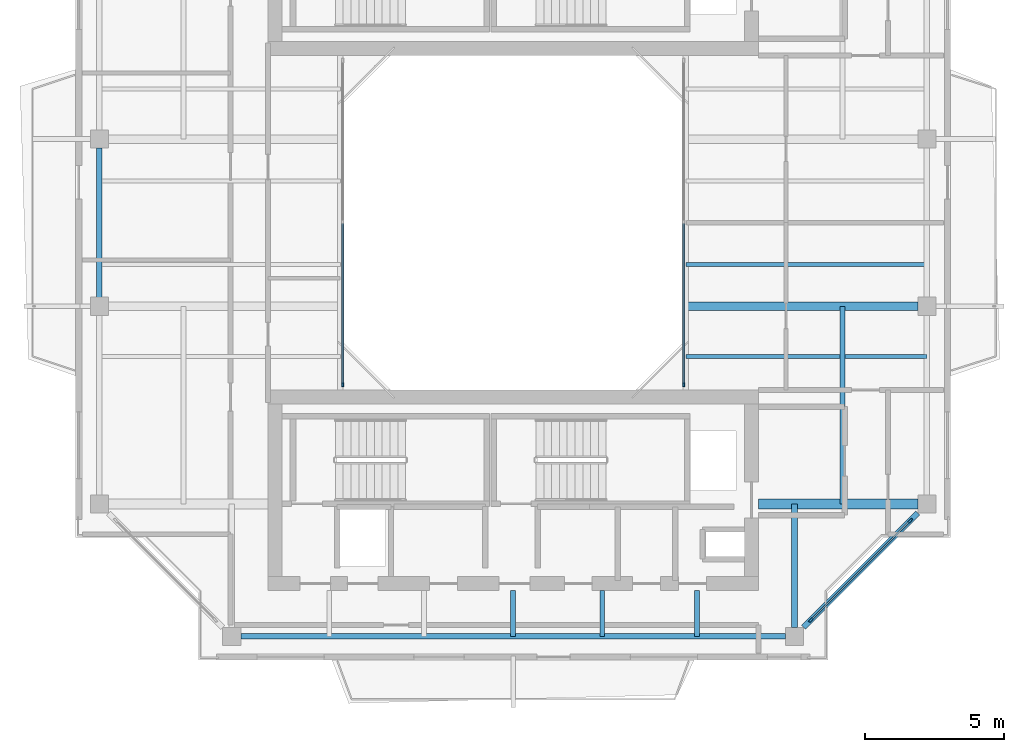
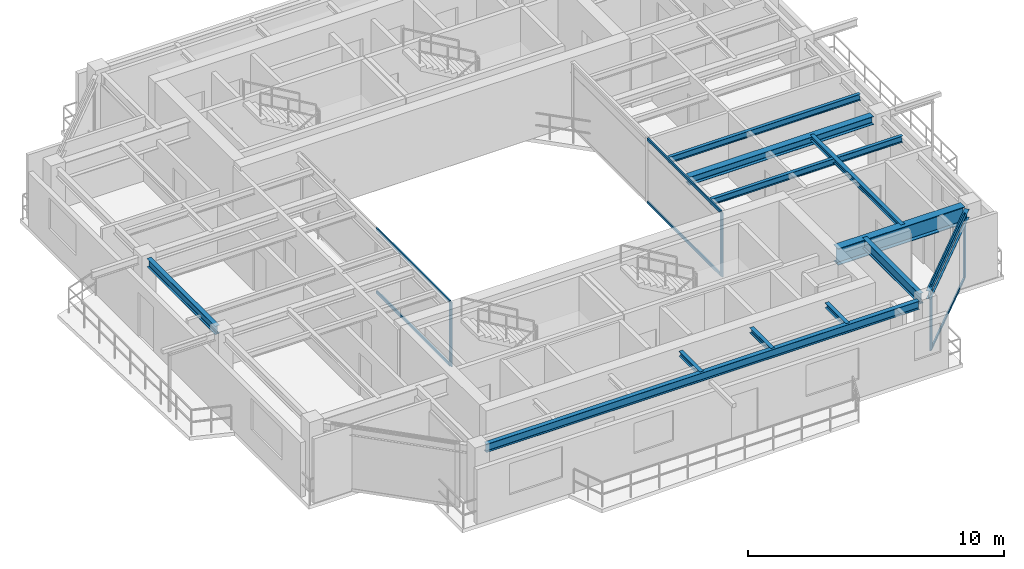
# One storey, part 4 of 14: 12 beams, 10 members, 3 elements without a shape of their own.
"""IFC4 building model written with IfcOpenShell, lengths in metres."""

from ifc_helpers import new_model, si_unit, direction, frame, origin, origin_2d, place, context, subcontext, project, spatial, rectangle, i_section, extrude, source, transform, mapped, material, layer, layer_set, material_profile, profile_set, type_object, element, aggregate, save


model = new_model("IFC4")

# Units and contexts
model_context = context("Model", 3, precision=1e-05, world=origin(), true_north=direction((0.0, 1.0)))
body_context = subcontext(model_context, "Body", "Model", "MODEL_VIEW")
ifc_project = project(units=[si_unit("LENGTHUNIT", "METRE"), si_unit("AREAUNIT", "SQUARE_METRE"), si_unit("VOLUMEUNIT", "CUBIC_METRE"), si_unit("PLANEANGLEUNIT", "RADIAN"), si_unit("MASSUNIT", "GRAM", prefix="KILO"), si_unit("THERMODYNAMICTEMPERATUREUNIT", "KELVIN"), si_unit("POWERUNIT", "WATT")], contexts=[model_context])

# Site, building, storey
site_placement = place(None, origin())
site = spatial("IfcSite", under=ifc_project, at=site_placement, CompositionType="ELEMENT")
building_placement = place(site_placement, origin())
building = spatial("IfcBuilding", under=site, at=building_placement, Name="Qiaomeng Ring Towers", CompositionType="ELEMENT")
storey_placement = place(building_placement, frame((0.0, 0.0, 240.5)))
storey = spatial("IfcBuildingStorey", under=building, at=storey_placement, Name="L70", CompositionType="ELEMENT", Elevation=240.5)

# Beams
ifc_material_1 = material(Name="Steel Q355B", Category="steel")
ifc_material_profile_1 = material_profile(ifc_material_1, i_section(OverallWidth=0.198974609375, OverallDepth=0.39599609375, WebThickness=0.007080078125, FlangeThickness=0.010986328125, FilletRadius=0.01611328125, at=origin_2d()), Name="HN 396x199x7x11")
ifc_profile_set_1 = profile_set([ifc_material_profile_1], Name="Steel Q355B")
beam_type_1 = type_object("IfcBeamType", Name="STR-BM-HN396", PredefinedType="SPANDREL", material=ifc_profile_set_1)
shared_shape_1 = source(origin(), body_context, "Body", "SweptSolid", [
    extrude(i_section(OverallWidth=0.198974609375, OverallDepth=0.39599609375, WebThickness=0.007080078125, FlangeThickness=0.010986328125, FilletRadius=0.01611328125, at=origin_2d()), origin(), (0.0, 0.0, 1.0), 19.5517578125),
])
beam_1_placement = place(storey_placement, frame((9.22412109375, 8.14990234375, 2.8720703125), z_axis=(1.0, 0.0, 0.0), x_axis=(0.0, 1.0, 0.0)))
element("IfcBeam", 1, at=beam_1_placement, inside=storey, type_object=beam_type_1, Name="L70 beam STR-SP-L70-T1-S1-S2", PredefinedType="SPANDREL", context=body_context, shape_type="MappedRepresentation", body=[
    mapped(shared_shape_1, transform((0.0, 0.0, 0.0), x_axis=(1.0, 0.0, 0.0), y_axis=(0.0, 1.0, 0.0), z_axis=(0.0, 0.0, 1.0), scale=1.0)),
])
shared_shape_2 = source(origin(), body_context, "Body", "SweptSolid", [
    extrude(i_section(OverallWidth=0.198974609375, OverallDepth=0.39599609375, WebThickness=0.007080078125, FlangeThickness=0.010986328125, FilletRadius=0.01611328125, at=origin_2d()), origin(), (0.0, 0.0, 1.0), 5.800048828125),
])
beam_2_placement = place(storey_placement, frame((29.42431640625, 8.474365234375, 2.8720703125), z_axis=(0.707106781187, 0.707106781187, 0.0), x_axis=(-0.707106781187, 0.707106781187, 0.0)))
element("IfcBeam", 2, at=beam_2_placement, inside=storey, type_object=beam_type_1, Name="L70 beam STR-SP-L70-T1-S2-E1", PredefinedType="SPANDREL", context=body_context, shape_type="MappedRepresentation", body=[
    mapped(shared_shape_2, transform((0.0, 0.0, 0.0), x_axis=(1.0, 0.0, 0.0), y_axis=(0.0, 1.0, 0.0), z_axis=(0.0, 0.0, 1.0), scale=1.0)),
])
shared_shape_3 = source(origin(), body_context, "Body", "SweptSolid", [
    extrude(i_section(OverallWidth=0.198974609375, OverallDepth=0.39599609375, WebThickness=0.007080078125, FlangeThickness=0.010986328125, FilletRadius=0.01611328125, at=origin_2d()), origin(), (0.0, 0.0, 1.0), 5.35205078125),
])
beam_3_placement = place(storey_placement, frame((4.14990234375, 25.676025390625, 2.8720703125), z_axis=(0.0, -1.0, 0.0), x_axis=(1.0, 0.0, 0.0)))
element("IfcBeam", 3, at=beam_3_placement, inside=storey, type_object=beam_type_1, Name="L70 beam STR-SP-L70-T1-W3-W2", PredefinedType="SPANDREL", context=body_context, shape_type="MappedRepresentation", body=[
    mapped(shared_shape_3, transform((0.0, 0.0, 0.0), x_axis=(1.0, 0.0, 0.0), y_axis=(0.0, 1.0, 0.0), z_axis=(0.0, 0.0, 1.0), scale=1.0)),
])
ifc_material_2 = material(Name="Steel Q390GJC", Category="steel")
ifc_material_profile_2 = material_profile(ifc_material_2, i_section(OverallWidth=0.35009765625, OverallDepth=0.800048828125, WebThickness=0.01611328125, FlangeThickness=0.028076171875, at=origin_2d()), Name="WH 800x350x16x28")
ifc_profile_set_2 = profile_set([ifc_material_profile_2], Name="Steel Q390GJC")
beam_type_2 = type_object("IfcBeamType", Name="STR-BM-WH800", PredefinedType="BEAM", material=ifc_profile_set_2)
shared_shape_4 = source(origin(), body_context, "Body", "SweptSolid", [
    extrude(i_section(OverallWidth=0.35009765625, OverallDepth=0.800048828125, WebThickness=0.01611328125, FlangeThickness=0.028076171875, at=origin_2d()), origin(), (0.0, 0.0, 1.0), 5.725830078125),
])
beam_4_placement = place(storey_placement, frame((27.800048828125, 12.89990234375, 2.669921875), z_axis=(1.0, 0.0, 0.0), x_axis=(0.0, 1.0, 0.0)))
element("IfcBeam", 4, at=beam_4_placement, inside=storey, type_object=beam_type_2, Name="L70 beam STR-BM-L70-T1-RAD-E1", PredefinedType="BEAM", context=body_context, shape_type="MappedRepresentation", body=[
    mapped(shared_shape_4, transform((0.0, 0.0, 0.0), x_axis=(1.0, 0.0, 0.0), y_axis=(0.0, 1.0, 0.0), z_axis=(0.0, 0.0, 1.0), scale=1.0)),
])
ifc_material_profile_3 = material_profile(ifc_material_1, i_section(OverallWidth=0.198974609375, OverallDepth=0.49609375, WebThickness=0.009033203125, FlangeThickness=0.013916015625, FilletRadius=0.01806640625, at=origin_2d()), Name="HN 496x199x9x14")
ifc_profile_set_3 = profile_set([ifc_material_profile_3], Name="Steel Q355B")
beam_type_3 = type_object("IfcBeamType", Name="STR-BM-HN496", PredefinedType="BEAM", material=ifc_profile_set_3)
shared_shape_5 = source(origin(), body_context, "Body", "SweptSolid", [
    extrude(i_section(OverallWidth=0.198974609375, OverallDepth=0.49609375, WebThickness=0.009033203125, FlangeThickness=0.013916015625, FilletRadius=0.01806640625, at=origin_2d()), origin(), (0.0, 0.0, 1.0), 4.42578125),
])
beam_5_placement = place(storey_placement, frame((29.10009765625, 8.47412109375, 2.822021484375), z_axis=(0.0, 1.0, 0.0), x_axis=(-1.0, 0.0, 0.0)))
element("IfcBeam", 5, at=beam_5_placement, inside=storey, type_object=beam_type_3, Name="L70 beam STR-BM-L70-T1-RAD-S2", PredefinedType="BEAM", context=body_context, shape_type="MappedRepresentation", body=[
    mapped(shared_shape_5, transform((0.0, 0.0, 0.0), x_axis=(1.0, 0.0, 0.0), y_axis=(0.0, 1.0, 0.0), z_axis=(0.0, 0.0, 1.0), scale=1.0)),
])
ifc_material_profile_4 = material_profile(ifc_material_1, i_section(OverallWidth=0.300048828125, OverallDepth=0.389892578125, WebThickness=0.010009765625, FlangeThickness=0.01611328125, FilletRadius=0.02197265625, at=origin_2d()), Name="HM 390x300x10x16")
ifc_profile_set_4 = profile_set([ifc_material_profile_4], Name="Steel Q355B")
beam_type_4 = type_object("IfcBeamType", Name="STR-BM-HM390", PredefinedType="BEAM", material=ifc_profile_set_4)
shared_shape_6 = source(origin(), body_context, "Body", "SweptSolid", [
    extrude(i_section(OverallWidth=0.300048828125, OverallDepth=0.389892578125, WebThickness=0.010009765625, FlangeThickness=0.01611328125, FilletRadius=0.02197265625, at=origin_2d()), origin(), (0.0, 0.0, 1.0), 8.325927734375),
])
beam_6_placement = place(storey_placement, frame((25.199951171875, 20.0, 2.875), z_axis=(1.0, 0.0, 0.0), x_axis=(0.0, 1.0, 0.0)))
element("IfcBeam", 6, at=beam_6_placement, inside=storey, type_object=beam_type_4, Name="L70 beam STR-BM-L70-T1-RAD-E2", PredefinedType="BEAM", context=body_context, shape_type="MappedRepresentation", body=[
    mapped(shared_shape_6, transform((0.0, 0.0, 0.0), x_axis=(1.0, 0.0, 0.0), y_axis=(0.0, 1.0, 0.0), z_axis=(0.0, 0.0, 1.0), scale=1.0)),
])
ifc_material_profile_5 = material_profile(ifc_material_1, i_section(OverallWidth=0.175048828125, OverallDepth=0.243896484375, WebThickness=0.007080078125, FlangeThickness=0.010986328125, FilletRadius=0.01611328125, at=origin_2d()), Name="HM 244x175x7x11")
ifc_profile_set_5 = profile_set([ifc_material_profile_5], Name="Steel Q355B")
beam_type_5 = type_object("IfcBeamType", Name="STR-BM-HM244", PredefinedType="JOIST", material=ifc_profile_set_5)
shared_shape_7 = source(origin(), body_context, "Body", "SweptSolid", [
    extrude(i_section(OverallWidth=0.175048828125, OverallDepth=0.243896484375, WebThickness=0.007080078125, FlangeThickness=0.010986328125, FilletRadius=0.01611328125, at=origin_2d()), origin(), (0.0, 0.0, 1.0), 1.650146484375),
])
for number, where, z_axis, x_axis, name in (
    (7, (19.0, 8.14990234375, 2.947998046875), (0.0, 1.0, 0.0), (-1.0, 0.0, 0.0), "L70 beam STR-JST-L70-T1S-3"),
    (8, (22.199951171875, 8.14990234375, 2.947998046875), (0.0, 1.0, 0.0), (-1.0, 0.0, 0.0), "L70 beam STR-JST-L70-T1S-4"),
    (9, (25.60009765625, 8.14990234375, 2.947998046875), (0.0, 1.0, 0.0), (-1.0, 0.0, 0.0), "L70 beam STR-JST-L70-T1S-5"),
):
    element("IfcBeam", number, at=place(storey_placement, frame(where, z_axis=z_axis, x_axis=x_axis)), inside=storey, type_object=beam_type_5, Name=name, PredefinedType="JOIST", context=body_context, shape_type="MappedRepresentation", body=[
        mapped(shared_shape_7, transform((0.0, 0.0, 0.0), x_axis=(1.0, 0.0, 0.0), y_axis=(0.0, 1.0, 0.0), z_axis=(0.0, 0.0, 1.0), scale=1.0)),
    ])
ifc_material_profile_6 = material_profile(ifc_material_1, i_section(OverallWidth=0.14990234375, OverallDepth=0.300048828125, WebThickness=0.006591796875, FlangeThickness=0.009033203125, FilletRadius=0.012939453125, at=origin_2d()), Name="HN 300x150x6.5x9")
ifc_profile_set_6 = profile_set([ifc_material_profile_6], Name="Steel Q355B")
beam_type_6 = type_object("IfcBeamType", Name="STR-BM-HN300", PredefinedType="JOIST", material=ifc_profile_set_6)
shared_shape_8 = source(origin(), body_context, "Body", "SweptSolid", [
    extrude(i_section(OverallWidth=0.14990234375, OverallDepth=0.300048828125, WebThickness=0.006591796875, FlangeThickness=0.009033203125, FilletRadius=0.012939453125, at=origin_2d()), origin(), (0.0, 0.0, 1.0), 8.650146484375),
])
for number, where, z_axis, x_axis, name in (
    (10, (25.199951171875, 18.199951171875, 2.919921875), (1.0, 0.0, 0.0), (0.0, 1.0, 0.0), "L70 beam STR-JST-L70-T1E-1"),
    (11, (25.199951171875, 21.5, 2.919921875), (1.0, 0.0, 0.0), (0.0, 1.0, 0.0), "L70 beam STR-JST-L70-T1E-2"),
):
    element("IfcBeam", number, at=place(storey_placement, frame(where, z_axis=z_axis, x_axis=x_axis)), inside=storey, type_object=beam_type_6, Name=name, PredefinedType="JOIST", context=body_context, shape_type="MappedRepresentation", body=[
        mapped(shared_shape_8, transform((0.0, 0.0, 0.0), x_axis=(1.0, 0.0, 0.0), y_axis=(0.0, 1.0, 0.0), z_axis=(0.0, 0.0, 1.0), scale=1.0)),
    ])
shared_shape_9 = source(origin(), body_context, "Body", "SweptSolid", [
    extrude(i_section(OverallWidth=0.175048828125, OverallDepth=0.243896484375, WebThickness=0.007080078125, FlangeThickness=0.010986328125, FilletRadius=0.01611328125, at=origin_2d()), origin(), (0.0, 0.0, 1.0), 7.10009765625),
])
beam_7_placement = place(storey_placement, frame((30.824951171875, 12.89990234375, 2.947998046875), z_axis=(0.0, 1.0, 0.0), x_axis=(-1.0, 0.0, 0.0)))
element("IfcBeam", 12, at=beam_7_placement, inside=storey, type_object=beam_type_5, Name="L70 beam STR-JST-L70-T1C-ES", PredefinedType="JOIST", context=body_context, shape_type="MappedRepresentation", body=[
    mapped(shared_shape_9, transform((0.0, 0.0, 0.0), x_axis=(1.0, 0.0, 0.0), y_axis=(0.0, 1.0, 0.0), z_axis=(0.0, 0.0, 1.0), scale=1.0)),
])

# Curtain wall, member
ifc_material_3 = material(Name="Fluorocarbon dark-grey aluminium", Category="aluminium")
ifc_layer_1 = layer(ifc_material_3, 0.139892578125, Name="Fluorocarbon dark-grey aluminium")
ifc_layer_set_1 = layer_set([ifc_layer_1], Name="Fluorocarbon dark-grey aluminium")
curtain_wall_type_1 = type_object("IfcCurtainWallType", Name="ARC-CW-4", PredefinedType="NOTDEFINED", material=ifc_layer_set_1)
curtain_wall_1_placement = place(storey_placement, origin())
curtain_wall_1 = element("IfcCurtainWall", 13, at=curtain_wall_1_placement, inside=storey, type_object=curtain_wall_type_1, Name="L70 Curtain Wall CW4", PredefinedType="NOTDEFINED")
ifc_material_profile_7 = material_profile(ifc_material_3, rectangle(XDim=0.06494140625, YDim=0.159912109375, at=origin_2d()), Name="ALU MULL 65x160")
ifc_profile_set_7 = profile_set([ifc_material_profile_7], Name="Fluorocarbon dark-grey aluminium")
member_type_1 = type_object("IfcMemberType", Name="ARC-CWM-140", PredefinedType="MULLION", material=ifc_profile_set_7)
shared_shape_10 = source(origin(), body_context, "Body", "SweptSolid", [
    extrude(rectangle(XDim=0.06494140625, YDim=0.159912109375, at=origin_2d()), origin(), (0.0, 0.0, 1.0), 3.070068359375),
])
member_1_placement = place(storey_placement, frame((12.8798828125, 17.1826171875, 0.0), z_axis=(0.0, 0.0, 1.0), x_axis=(-1.0, 0.0, 0.0)))
member_1 = element("IfcMember", 14, at=member_1_placement, type_object=member_type_1, Name="CW4 mullion 1", PredefinedType="MULLION", context=body_context, shape_type="MappedRepresentation", body=[
    mapped(shared_shape_10, transform((0.0, 0.0, 0.0), x_axis=(1.0, 0.0, 0.0), y_axis=(0.0, 1.0, 0.0), z_axis=(0.0, 0.0, 1.0), scale=1.0)),
])

curtain_wall_2_placement = place(storey_placement, origin())
curtain_wall_2 = element("IfcCurtainWall", 15, at=curtain_wall_2_placement, inside=storey, type_object=curtain_wall_type_1, Name="L70 Curtain Wall CW4", PredefinedType="NOTDEFINED")
member_2_placement = place(storey_placement, frame((25.1201171875, 17.1826171875, 0.0), z_axis=(0.0, 0.0, 1.0), x_axis=(-1.0, 0.0, 0.0)))
member_2 = element("IfcMember", 16, at=member_2_placement, type_object=member_type_1, Name="CW4 mullion 1", PredefinedType="MULLION", context=body_context, shape_type="MappedRepresentation", body=[
    mapped(shared_shape_10, transform((0.0, 0.0, 0.0), x_axis=(1.0, 0.0, 0.0), y_axis=(0.0, 1.0, 0.0), z_axis=(0.0, 0.0, 1.0), scale=1.0)),
])

# Member
ifc_material_profile_8 = material_profile(ifc_material_3, rectangle(XDim=0.06494140625, YDim=0.1298828125, at=origin_2d()), Name="ALU TRAN 65x130")
ifc_profile_set_8 = profile_set([ifc_material_profile_8], Name="Fluorocarbon dark-grey aluminium")
member_type_2 = type_object("IfcMemberType", Name="ARC-CWT-120", PredefinedType="USERDEFINED", material=ifc_profile_set_8)
shared_shape_11 = source(origin(), body_context, "Body", "SweptSolid", [
    extrude(rectangle(XDim=0.06494140625, YDim=0.1298828125, at=origin_2d()), origin(), (0.0, 0.0, 1.0), 5.75244140625),
])
member_3_placement = place(storey_placement, frame((12.8798828125, 17.215087890625, 0.032470703125), z_axis=(0.0, 1.0, 0.0), x_axis=(-1.0, 0.0, 0.0)))
member_3 = element("IfcMember", 17, at=member_3_placement, type_object=member_type_2, Name="CW4 transom 1.1", ObjectType="TRANSOM", PredefinedType="USERDEFINED", context=body_context, shape_type="MappedRepresentation", body=[
    mapped(shared_shape_11, transform((0.0, 0.0, 0.0), x_axis=(1.0, 0.0, 0.0), y_axis=(0.0, 1.0, 0.0), z_axis=(0.0, 0.0, 1.0), scale=1.0)),
])

member_4_placement = place(storey_placement, frame((12.8798828125, 17.215087890625, 3.03759765625), z_axis=(0.0, 1.0, 0.0), x_axis=(-1.0, 0.0, 0.0)))
member_4 = element("IfcMember", 18, at=member_4_placement, type_object=member_type_2, Name="CW4 transom 1.2", ObjectType="TRANSOM", PredefinedType="USERDEFINED", context=body_context, shape_type="MappedRepresentation", body=[
    mapped(shared_shape_11, transform((0.0, 0.0, 0.0), x_axis=(1.0, 0.0, 0.0), y_axis=(0.0, 1.0, 0.0), z_axis=(0.0, 0.0, 1.0), scale=1.0)),
])

aggregate(curtain_wall_1, [member_1, member_3, member_4])

member_5_placement = place(storey_placement, frame((25.1201171875, 17.215087890625, 0.032470703125), z_axis=(0.0, 1.0, 0.0), x_axis=(-1.0, 0.0, 0.0)))
member_5 = element("IfcMember", 19, at=member_5_placement, type_object=member_type_2, Name="CW4 transom 1.1", ObjectType="TRANSOM", PredefinedType="USERDEFINED", context=body_context, shape_type="MappedRepresentation", body=[
    mapped(shared_shape_11, transform((0.0, 0.0, 0.0), x_axis=(1.0, 0.0, 0.0), y_axis=(0.0, 1.0, 0.0), z_axis=(0.0, 0.0, 1.0), scale=1.0)),
])

member_6_placement = place(storey_placement, frame((25.1201171875, 17.215087890625, 3.03759765625), z_axis=(0.0, 1.0, 0.0), x_axis=(-1.0, 0.0, 0.0)))
member_6 = element("IfcMember", 20, at=member_6_placement, type_object=member_type_2, Name="CW4 transom 1.2", ObjectType="TRANSOM", PredefinedType="USERDEFINED", context=body_context, shape_type="MappedRepresentation", body=[
    mapped(shared_shape_11, transform((0.0, 0.0, 0.0), x_axis=(1.0, 0.0, 0.0), y_axis=(0.0, 1.0, 0.0), z_axis=(0.0, 0.0, 1.0), scale=1.0)),
])

aggregate(curtain_wall_2, [member_2, member_5, member_6])

# Curtain wall, members
ifc_layer_2 = layer(ifc_material_3, 0.14990234375, Name="Fluorocarbon dark-grey aluminium")
ifc_layer_set_2 = layer_set([ifc_layer_2], Name="Fluorocarbon dark-grey aluminium")
curtain_wall_type_2 = type_object("IfcCurtainWallType", Name="ARC-CW-3", PredefinedType="NOTDEFINED", material=ifc_layer_set_2)
curtain_wall_3_placement = place(storey_placement, origin())
curtain_wall_3 = element("IfcCurtainWall", 21, at=curtain_wall_3_placement, inside=storey, type_object=curtain_wall_type_2, Name="L70 Curtain Wall CW3", PredefinedType="NOTDEFINED")
ifc_material_profile_9 = material_profile(ifc_material_3, rectangle(XDim=0.070068359375, YDim=0.179931640625, at=origin_2d()), Name="ALU MULL 70x180")
ifc_profile_set_9 = profile_set([ifc_material_profile_9], Name="Fluorocarbon dark-grey aluminium")
member_type_3 = type_object("IfcMemberType", Name="ARC-CWM-160", PredefinedType="MULLION", material=ifc_profile_set_9)
shared_shape_12 = source(origin(), body_context, "Body", "SweptSolid", [
    extrude(rectangle(XDim=0.070068359375, YDim=0.179931640625, at=origin_2d()), origin(), (0.0, 0.0, 1.0), 3.070068359375),
])
member_7_placement = place(storey_placement, frame((29.689697265625, 8.73974609375, 0.0), z_axis=(0.0, 0.0, 1.0), x_axis=(-0.707106781187, 0.707106781187, 0.0)))
member_7 = element("IfcMember", 22, at=member_7_placement, type_object=member_type_3, Name="CW3 mullion 1", PredefinedType="MULLION", context=body_context, shape_type="MappedRepresentation", body=[
    mapped(shared_shape_12, transform((0.0, 0.0, 0.0), x_axis=(1.0, 0.0, 0.0), y_axis=(0.0, 1.0, 0.0), z_axis=(0.0, 0.0, 1.0), scale=1.0)),
])
member_8_placement = place(storey_placement, frame((33.26025390625, 12.310302734375, 0.0), z_axis=(0.0, 0.0, 1.0), x_axis=(-0.707106781187, 0.707106781187, 0.0)))
member_8 = element("IfcMember", 23, at=member_8_placement, type_object=member_type_3, Name="CW3 mullion 2", PredefinedType="MULLION", context=body_context, shape_type="MappedRepresentation", body=[
    mapped(shared_shape_12, transform((0.0, 0.0, 0.0), x_axis=(1.0, 0.0, 0.0), y_axis=(0.0, 1.0, 0.0), z_axis=(0.0, 0.0, 1.0), scale=1.0)),
])
shared_shape_13 = source(origin(), body_context, "Body", "SweptSolid", [
    extrude(rectangle(XDim=0.06494140625, YDim=0.1298828125, at=origin_2d()), origin(), (0.0, 0.0, 1.0), 4.9794921875),
])
member_9_placement = place(storey_placement, frame((29.714599609375, 8.764404296875, 0.032470703125), z_axis=(0.707106781187, 0.707106781187, 0.0), x_axis=(-0.707106781187, 0.707106781187, 0.0)))
member_9 = element("IfcMember", 24, at=member_9_placement, type_object=member_type_2, Name="CW3 transom 1.1", ObjectType="TRANSOM", PredefinedType="USERDEFINED", context=body_context, shape_type="MappedRepresentation", body=[
    mapped(shared_shape_13, transform((0.0, 0.0, 0.0), x_axis=(1.0, 0.0, 0.0), y_axis=(0.0, 1.0, 0.0), z_axis=(0.0, 0.0, 1.0), scale=1.0)),
])
member_10_placement = place(storey_placement, frame((29.714599609375, 8.764404296875, 3.03759765625), z_axis=(0.707106781187, 0.707106781187, 0.0), x_axis=(-0.707106781187, 0.707106781187, 0.0)))
member_10 = element("IfcMember", 25, at=member_10_placement, type_object=member_type_2, Name="CW3 transom 1.2", ObjectType="TRANSOM", PredefinedType="USERDEFINED", context=body_context, shape_type="MappedRepresentation", body=[
    mapped(shared_shape_13, transform((0.0, 0.0, 0.0), x_axis=(1.0, 0.0, 0.0), y_axis=(0.0, 1.0, 0.0), z_axis=(0.0, 0.0, 1.0), scale=1.0)),
])
aggregate(curtain_wall_3, [member_7, member_8, member_9, member_10])

save(model, "model.ifc")
